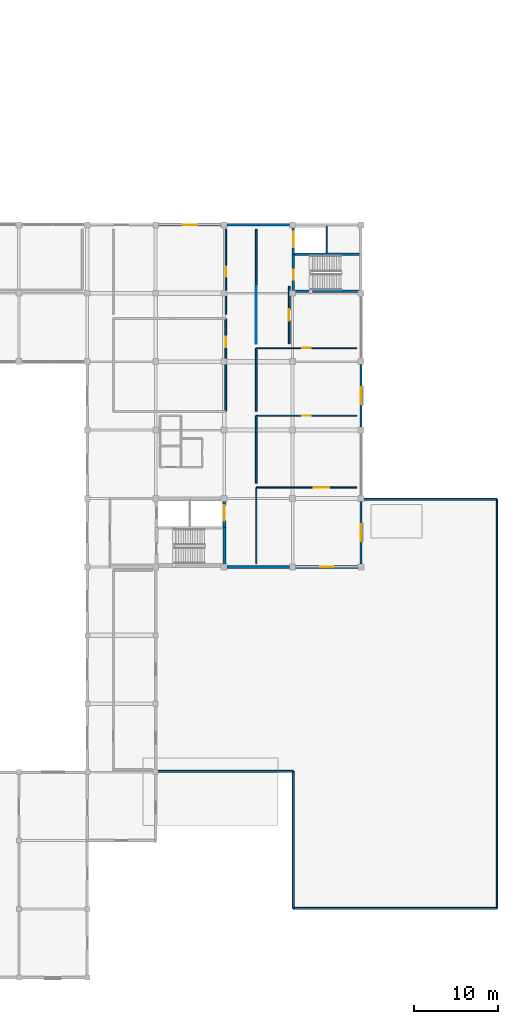
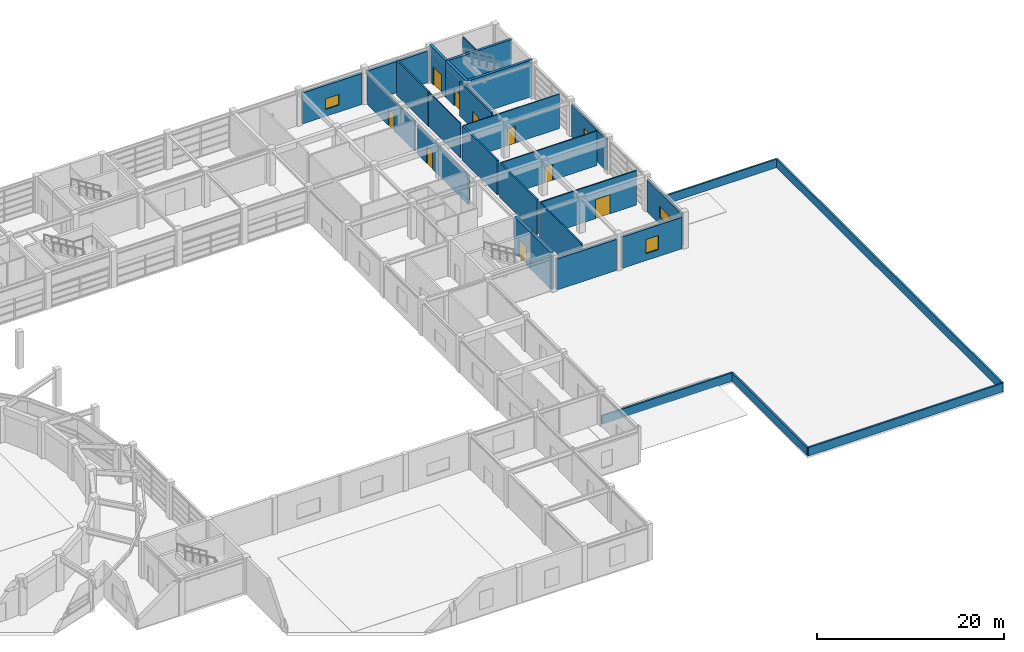
# One storey, part 43 of 56: 29 walls, 9 doors, 4 windows, 13 openings.
"""IFC4 building model written with IfcOpenShell, lengths in metres."""

from ifc_helpers import new_model, si_unit, direction, frame, frame_2d, origin, place, context, subcontext, project, spatial, rectangle, extrude, material, layer, layer_set, type_object, element, fill, save


model = new_model("IFC4")

# Units and contexts
model_context = context("Model", 3, precision=1e-05, world=origin(), true_north=direction((0.0, 1.0)))
body_context = subcontext(model_context, "Body", "Model", "MODEL_VIEW")
ifc_project = project(units=[si_unit("LENGTHUNIT", "METRE"), si_unit("AREAUNIT", "SQUARE_METRE"), si_unit("VOLUMEUNIT", "CUBIC_METRE"), si_unit("PLANEANGLEUNIT", "RADIAN"), si_unit("MASSUNIT", "GRAM", prefix="KILO")], contexts=[model_context])

# Site, building, storey
site_placement = place(None, origin())
site = spatial("IfcSite", under=ifc_project, at=site_placement, CompositionType="ELEMENT")
building_placement = place(site_placement, origin())
building = spatial("IfcBuilding", under=site, at=building_placement, Name="Parian Resonance Hall", CompositionType="ELEMENT")
storey_placement = place(building_placement, frame((0.0, 0.0, 5.39990234375)))
storey = spatial("IfcBuildingStorey", under=building, at=storey_placement, Name="L01", CompositionType="ELEMENT", Elevation=5.39990234375)

# Wall, opening, door
ifc_material_1 = material(Name="Concrete C40/50", Category="concrete")
ifc_layer_1 = layer(ifc_material_1, 0.31005859375)
ifc_layer_set_1 = layer_set([ifc_layer_1], Name="Concrete C40/50")
wall_type_1 = type_object("IfcWallType", Name="CW310", PredefinedType="SHEAR", material=ifc_layer_set_1)
wall_1_placement = place(storey_placement, frame((137.7900390625, 81.25, 0.0), z_axis=(0.0, 0.0, 1.0), x_axis=(0.0, 1.0, 0.0)))
wall_1 = element("IfcWall", 1, at=wall_1_placement, inside=storey, type_object=wall_type_1, Name="Core K6 stairwell west shear wall L01", PredefinedType="SHEAR", context=body_context, shape_type="SweptSolid", body=[
    extrude(rectangle(XDim=4.360107421875, YDim=0.31005859375, at=frame_2d((2.18017578125, 0.0))), origin(), (0.0, 0.0, 1.0), 4.800048828125),
])
opening_1_placement = place(wall_1_placement, frame((1.35009765625, 0.0, 0.0)))
opening_1 = element("IfcOpeningElement", 2, at=opening_1_placement, cuts=wall_1, Name="Opening FD-01", PredefinedType="OPENING", context=body_context, shape_type="SweptSolid", body=[
    extrude(rectangle(XDim=1.199951171875, YDim=2.25, at=frame_2d((0.60009765625, 1.125))), frame((0.0, 0.1650390625, 0.0), z_axis=(0.0, -1.0, 0.0), x_axis=(1.0, 0.0, 0.0)), (0.0, 0.0, 1.0), 0.330078125),
])
ifc_material_2 = material(Name="Fire-rated acoustic steel and narra timber door", Category="steel")
door_type_1 = type_object("IfcDoorType", Name="FD-01", OperationType="NOTDEFINED", PredefinedType="DOOR", material=ifc_material_2)
door_1_placement = place(opening_1_placement, origin())
door_1 = element("IfcDoor", 3, at=door_1_placement, inside=storey, type_object=door_type_1, Name="Exit stair ST-06 fire door L01", OperationType="SINGLE_SWING_LEFT", OverallHeight=2.25, OverallWidth=1.199951171875, PredefinedType="DOOR", context=body_context, shape_type="SweptSolid", body=[
    extrude(rectangle(XDim=1.199951171875, YDim=2.25, at=frame_2d((0.60009765625, 1.125))), frame((0.0, 0.02490234375, 0.0), z_axis=(0.0, -1.0, 0.0), x_axis=(1.0, 0.0, 0.0)), (0.0, 0.0, 1.0), 0.050048828125),
])
fill(opening_1, door_1)

wall_2_placement = place(storey_placement, frame((137.7900390625, 85.610107421875, 0.0), z_axis=(0.0, 0.0, 1.0), x_axis=(0.0, 1.0, 0.0)))
wall_2 = element("IfcWall", 4, at=wall_2_placement, inside=storey, type_object=wall_type_1, Name="Core K6 lift shaft west shear wall L01", PredefinedType="SHEAR", context=body_context, shape_type="SweptSolid", body=[
    extrude(rectangle(XDim=3.489990234375, YDim=0.31005859375, at=frame_2d((1.7451171875, 0.0))), origin(), (0.0, 0.0, 1.0), 4.800048828125),
])
opening_2_placement = place(wall_2_placement, frame((0.844970703125, 0.0, 0.0)))
opening_2 = element("IfcOpeningElement", 5, at=opening_2_placement, cuts=wall_2, Name="Opening LD-02", PredefinedType="OPENING", context=body_context, shape_type="SweptSolid", body=[
    extrude(rectangle(XDim=1.800048828125, YDim=2.39990234375, at=frame_2d((0.89990234375, 1.199951171875))), frame((0.0, 0.1650390625, 0.0), z_axis=(0.0, -1.0, 0.0), x_axis=(1.0, 0.0, 0.0)), (0.0, 0.0, 1.0), 0.330078125),
])
ifc_material_3 = material(Name="Stainless steel and bronze elevator cab", Category="steel")
door_type_2 = type_object("IfcDoorType", Name="DOOR-LIFT-1800x2400", OperationType="SLIDING_TO_LEFT", PredefinedType="DOOR", material=ifc_material_3)
door_2_placement = place(opening_2_placement, origin())
door_2 = element("IfcDoor", 6, at=door_2_placement, inside=storey, type_object=door_type_2, Name="Lift LF-08 sliding landing door L01", OperationType="SLIDING_TO_LEFT", OverallHeight=2.39990234375, OverallWidth=1.800048828125, PredefinedType="DOOR", context=body_context, shape_type="SweptSolid", body=[
    extrude(rectangle(XDim=1.800048828125, YDim=2.39990234375, at=frame_2d((0.89990234375, 1.199951171875))), frame((0.0, 0.02490234375, 0.0), z_axis=(0.0, -1.0, 0.0), x_axis=(1.0, 0.0, 0.0)), (0.0, 0.0, 1.0), 0.050048828125),
])
fill(opening_2, door_2)

# Walls
for number, where, z_axis, x_axis, name in (
    (7, (145.77001953125, 81.25, 0.0), (0.0, 0.0, 1.0), (-1.0, 0.0, 0.0), "Core K6 stairwell south wall L01"),
    (8, (137.7900390625, 85.610107421875, 0.0), (0.0, 0.0, 1.0), (1.0, 0.0, 0.0), "Core K6 stair-lift divider wall L01"),
):
    element("IfcWall", number, at=place(storey_placement, frame(where, z_axis=z_axis, x_axis=x_axis)), inside=storey, type_object=wall_type_1, Name=name, PredefinedType="SHEAR", context=body_context, shape_type="SweptSolid", body=[
        extrude(rectangle(XDim=7.97998046875, YDim=0.31005859375, at=frame_2d((3.989990234375, 0.0))), origin(), (0.0, 0.0, 1.0), 4.800048828125),
    ])

# Wall, opening, door
ifc_material_4 = material(Name="Concrete C40/50", Category="concrete")
ifc_layer_2 = layer(ifc_material_4, 0.35009765625)
ifc_layer_set_2 = layer_set([ifc_layer_2], Name="Concrete C40/50")
wall_type_2 = type_object("IfcWallType", Name="CW350", PredefinedType="SHEAR", material=ifc_layer_set_2)
wall_3_placement = place(storey_placement, frame((129.6298828125, 56.699951171875, 0.0), z_axis=(0.0, 0.0, 1.0), x_axis=(0.0, -1.0, 0.0)))
wall_3 = element("IfcWall", 9, at=wall_3_placement, inside=storey, type_object=wall_type_2, Name="Core K2 east shaft wall L01", PredefinedType="SHEAR", context=body_context, shape_type="SweptSolid", body=[
    extrude(rectangle(XDim=3.449951171875, YDim=0.35009765625, at=frame_2d((1.72509765625, 0.0))), origin(), (0.0, 0.0, 1.0), 4.800048828125),
])
opening_3_placement = place(wall_3_placement, frame((0.824951171875, 0.0, 0.0)))
opening_3 = element("IfcOpeningElement", 10, at=opening_3_placement, cuts=wall_3, Name="Opening LD-02", PredefinedType="OPENING", context=body_context, shape_type="SweptSolid", body=[
    extrude(rectangle(XDim=1.800048828125, YDim=2.39990234375, at=frame_2d((0.89990234375, 1.199951171875))), frame((0.0, 0.18505859375, 0.0), z_axis=(0.0, -1.0, 0.0), x_axis=(1.0, 0.0, 0.0)), (0.0, 0.0, 1.0), 0.3701171875),
])
door_3_placement = place(opening_3_placement, origin())
door_3 = element("IfcDoor", 11, at=door_3_placement, inside=storey, type_object=door_type_2, Name="Lift LF-07 sliding landing door L01", OperationType="SLIDING_TO_LEFT", OverallHeight=2.39990234375, OverallWidth=1.800048828125, PredefinedType="DOOR", context=body_context, shape_type="SweptSolid", body=[
    extrude(rectangle(XDim=1.800048828125, YDim=2.39990234375, at=frame_2d((0.89990234375, 1.199951171875))), frame((0.0, 0.02490234375, 0.0), z_axis=(0.0, -1.0, 0.0), x_axis=(1.0, 0.0, 0.0)), (0.0, 0.0, 1.0), 0.050048828125),
])
fill(opening_3, door_3)

# Walls
wall_4_placement = place(storey_placement, frame((129.6298828125, 53.25, 0.0), z_axis=(0.0, 0.0, 1.0), x_axis=(0.0, -1.0, 0.0)))
element("IfcWall", 12, at=wall_4_placement, inside=storey, type_object=wall_type_2, Name="Core K2 stairwell east wall L01", PredefinedType="SHEAR", context=body_context, shape_type="SweptSolid", body=[
    extrude(rectangle(XDim=4.419921875, YDim=0.35009765625, at=frame_2d((2.2099609375, 0.0))), origin(), (0.0, 0.0, 1.0), 4.800048828125),
])
ifc_material_5 = material(Name="Concrete C35/45 parapet", Category="concrete")
ifc_layer_3 = layer(ifc_material_5, 0.2099609375)
ifc_layer_set_3 = layer_set([ifc_layer_3], Name="Concrete C35/45 parapet")
wall_type_3 = type_object("IfcWallType", Name="EW-PAR-210", PredefinedType="PARAPET", material=ifc_layer_set_3)
wall_5_placement = place(storey_placement, frame((121.60009765625, 24.39990234375, 0.0), z_axis=(0.0, 0.0, 1.0), x_axis=(1.0, 0.0, 0.0)))
element("IfcWall", 13, at=wall_5_placement, inside=storey, type_object=wall_type_3, Name="Roof parapet L01-01", PredefinedType="PARAPET", context=body_context, shape_type="SweptSolid", body=[
    extrude(rectangle(XDim=16.199951171875, YDim=0.2099609375, at=frame_2d((8.10009765625, 0.0))), origin(), (0.0, 0.0, 1.0), 1.10009765625),
])
wall_6_placement = place(storey_placement, frame((137.800048828125, 8.199951171875, 0.0), z_axis=(0.0, 0.0, 1.0), x_axis=(1.0, 0.0, 0.0)))
element("IfcWall", 14, at=wall_6_placement, inside=storey, type_object=wall_type_3, Name="Roof parapet L01-05", PredefinedType="PARAPET", context=body_context, shape_type="SweptSolid", body=[
    extrude(rectangle(XDim=24.099853515625, YDim=0.2099609375, at=frame_2d((12.0498046875, 0.0))), origin(), (0.0, 0.0, 1.0), 1.10009765625),
])
wall_7_placement = place(storey_placement, frame((161.89990234375, 56.60009765625, 0.0), z_axis=(0.0, 0.0, 1.0), x_axis=(-1.0, 0.0, 0.0)))
element("IfcWall", 15, at=wall_7_placement, inside=storey, type_object=wall_type_3, Name="Roof parapet L01-07", PredefinedType="PARAPET", context=body_context, shape_type="SweptSolid", body=[
    extrude(rectangle(XDim=16.0, YDim=0.2099609375, at=frame_2d((8.0, 0.0))), origin(), (0.0, 0.0, 1.0), 1.10009765625),
])
ifc_material_6 = material(Name="Concrete C35/45 parapet", Category="concrete")
ifc_layer_4 = layer(ifc_material_6, 0.22998046875)
ifc_layer_set_4 = layer_set([ifc_layer_4], Name="Concrete C35/45 parapet")
wall_type_4 = type_object("IfcWallType", Name="EW-PAR-230", PredefinedType="PARAPET", material=ifc_layer_set_4)
wall_8_placement = place(storey_placement, frame((137.800048828125, 24.39990234375, 0.0), z_axis=(0.0, 0.0, 1.0), x_axis=(0.0, -1.0, 0.0)))
element("IfcWall", 16, at=wall_8_placement, inside=storey, type_object=wall_type_4, Name="Roof parapet L01-04", PredefinedType="PARAPET", context=body_context, shape_type="SweptSolid", body=[
    extrude(rectangle(XDim=16.199951171875, YDim=0.22998046875, at=frame_2d((8.10009765625, 0.0))), origin(), (0.0, 0.0, 1.0), 1.10009765625),
])
wall_9_placement = place(storey_placement, frame((161.89990234375, 8.199951171875, 0.0), z_axis=(0.0, 0.0, 1.0), x_axis=(0.0, 1.0, 0.0)))
element("IfcWall", 17, at=wall_9_placement, inside=storey, type_object=wall_type_4, Name="Roof parapet L01-06", PredefinedType="PARAPET", context=body_context, shape_type="SweptSolid", body=[
    extrude(rectangle(XDim=48.400146484375, YDim=0.22998046875, at=frame_2d((24.2001953125, 0.0))), origin(), (0.0, 0.0, 1.0), 1.10009765625),
])
ifc_material_7 = material(Name="Concrete C35/45 with Carcar coral-limestone ashlar", Category="masonry")
ifc_layer_5 = layer(ifc_material_7, 0.340087890625)
ifc_layer_set_5 = layer_set([ifc_layer_5], Name="Concrete C35/45 with Carcar coral-limestone ashlar")
wall_type_5 = type_object("IfcWallType", Name="EW-STONE-340", PredefinedType="SOLIDWALL", material=ifc_layer_set_5)
wall_10_placement = place(storey_placement, frame((129.949951171875, 48.60009765625, 0.0), z_axis=(0.0, 0.0, 1.0), x_axis=(1.0, 0.0, 0.0)))
element("IfcWall", 18, at=wall_10_placement, inside=storey, type_object=wall_type_5, Name="Perimeter closure wall L01", PredefinedType="SOLIDWALL", context=body_context, shape_type="SweptSolid", body=[
    extrude(rectangle(XDim=7.400146484375, YDim=0.340087890625, at=frame_2d((3.7001953125, 0.0))), origin(), (0.0, 0.0, 1.0), 4.05517578125),
])

# Wall, opening, window
wall_11_placement = place(storey_placement, frame((138.050048828125, 48.60009765625, 0.0), z_axis=(0.0, 0.0, 1.0), x_axis=(1.0, 0.0, 0.0)))
wall_11 = element("IfcWall", 19, at=wall_11_placement, inside=storey, type_object=wall_type_5, Name="Perimeter closure wall L01", PredefinedType="SOLIDWALL", context=body_context, shape_type="SweptSolid", body=[
    extrude(rectangle(XDim=7.39990234375, YDim=0.340087890625, at=frame_2d((3.699951171875, 0.0))), origin(), (0.0, 0.0, 1.0), 4.107177734375),
])
opening_4_placement = place(wall_11_placement, frame((2.925048828125, 0.0, 0.89990234375)))
opening_4 = element("IfcOpeningElement", 20, at=opening_4_placement, cuts=wall_11, Name="Opening WN-25", PredefinedType="OPENING", context=body_context, shape_type="SweptSolid", body=[
    extrude(rectangle(XDim=1.550048828125, YDim=1.85009765625, at=frame_2d((0.77490234375, 0.925048828125))), frame((0.0, 0.179931640625, 0.0), z_axis=(0.0, -1.0, 0.0), x_axis=(1.0, 0.0, 0.0)), (0.0, 0.0, 1.0), 0.360107421875),
])
ifc_material_8 = material(Name="Acoustic laminated double glazing", Category="glass")
window_type_1 = type_object("IfcWindowType", Name="WIN-1550x1850", PartitioningType="SINGLE_PANEL", PredefinedType="WINDOW", material=ifc_material_8)
window_1_placement = place(opening_4_placement, origin())
window_1 = element("IfcWindow", 21, at=window_1_placement, inside=storey, type_object=window_type_1, Name="Acoustic window L01-0062", OverallHeight=1.85009765625, OverallWidth=1.550048828125, PartitioningType="SINGLE_PANEL", PredefinedType="WINDOW", context=body_context, shape_type="SweptSolid", body=[
    extrude(rectangle(XDim=1.550048828125, YDim=1.85009765625, at=frame_2d((0.77490234375, 0.925048828125))), frame((0.0, 0.030029296875, 0.0), z_axis=(0.0, -1.0, 0.0), x_axis=(1.0, 0.0, 0.0)), (0.0, 0.0, 1.0), 0.06005859375),
])
fill(opening_4, window_1)

# Wall
wall_12_placement = place(storey_placement, frame((137.35009765625, 89.10009765625, 0.0), z_axis=(0.0, 0.0, 1.0), x_axis=(-1.0, 0.0, 0.0)))
element("IfcWall", 22, at=wall_12_placement, inside=storey, type_object=wall_type_5, Name="Perimeter closure wall L01", PredefinedType="SOLIDWALL", context=body_context, shape_type="SweptSolid", body=[
    extrude(rectangle(XDim=7.400146484375, YDim=0.340087890625, at=frame_2d((3.7001953125, 0.0))), origin(), (0.0, 0.0, 1.0), 4.107177734375),
])

# Wall, opening, window
wall_13_placement = place(storey_placement, frame((129.25, 89.10009765625, 0.0), z_axis=(0.0, 0.0, 1.0), x_axis=(-1.0, 0.0, 0.0)))
wall_13 = element("IfcWall", 23, at=wall_13_placement, inside=storey, type_object=wall_type_5, Name="Perimeter closure wall L01", PredefinedType="SOLIDWALL", context=body_context, shape_type="SweptSolid", body=[
    extrude(rectangle(XDim=7.39990234375, YDim=0.340087890625, at=frame_2d((3.699951171875, 0.0))), origin(), (0.0, 0.0, 1.0), 4.05517578125),
])
opening_5_placement = place(wall_13_placement, frame((2.875, 0.0, 0.89990234375)))
opening_5 = element("IfcOpeningElement", 24, at=opening_5_placement, cuts=wall_13, Name="Opening WN-27", PredefinedType="OPENING", context=body_context, shape_type="SweptSolid", body=[
    extrude(rectangle(XDim=1.64990234375, YDim=1.39990234375, at=frame_2d((0.824951171875, 0.699951171875))), frame((0.0, 0.179931640625, 0.0), z_axis=(0.0, -1.0, 0.0), x_axis=(1.0, 0.0, 0.0)), (0.0, 0.0, 1.0), 0.360107421875),
])
ifc_material_9 = material(Name="Acoustic laminated double glazing", Category="glass")
window_type_2 = type_object("IfcWindowType", Name="WIN-1650x1400", PartitioningType="SINGLE_PANEL", PredefinedType="WINDOW", material=ifc_material_9)
window_2_placement = place(opening_5_placement, origin())
window_2 = element("IfcWindow", 25, at=window_2_placement, inside=storey, type_object=window_type_2, Name="Acoustic window L01-0063", OverallHeight=1.39990234375, OverallWidth=1.64990234375, PartitioningType="SINGLE_PANEL", PredefinedType="WINDOW", context=body_context, shape_type="SweptSolid", body=[
    extrude(rectangle(XDim=1.64990234375, YDim=1.39990234375, at=frame_2d((0.824951171875, 0.699951171875))), frame((0.0, 0.030029296875, 0.0), z_axis=(0.0, -1.0, 0.0), x_axis=(1.0, 0.0, 0.0)), (0.0, 0.0, 1.0), 0.06005859375),
])
fill(opening_5, window_2)

ifc_material_10 = material(Name="Concrete C35/45 with Carcar coral-limestone ashlar", Category="masonry")
ifc_layer_6 = layer(ifc_material_10, 0.27001953125)
ifc_layer_set_6 = layer_set([ifc_layer_6], Name="Concrete C35/45 with Carcar coral-limestone ashlar")
wall_type_6 = type_object("IfcWallType", Name="EW-STUDIO-270", PredefinedType="SOLIDWALL", material=ifc_layer_set_6)
wall_14_placement = place(storey_placement, frame((145.800048828125, 56.35009765625, 0.0), z_axis=(0.0, 0.0, 1.0), x_axis=(0.0, -1.0, 0.0)))
wall_14 = element("IfcWall", 26, at=wall_14_placement, inside=storey, type_object=wall_type_6, Name="Exterior wall EW-L01-0176", PredefinedType="SOLIDWALL", context=body_context, shape_type="SweptSolid", body=[
    extrude(rectangle(XDim=7.400146484375, YDim=0.27001953125, at=frame_2d((3.7001953125, 0.0))), origin(), (0.0, 0.0, 1.0), 4.1669921875),
])
opening_6_placement = place(wall_14_placement, frame((2.699951171875, 0.0, 0.89990234375)))
opening_6 = element("IfcOpeningElement", 27, at=opening_6_placement, cuts=wall_14, Name="Opening WN-36", PredefinedType="OPENING", context=body_context, shape_type="SweptSolid", body=[
    extrude(rectangle(XDim=2.0, YDim=1.39990234375, at=frame_2d((1.0, 0.699951171875))), frame((0.0, 0.14501953125, 0.0), z_axis=(0.0, -1.0, 0.0), x_axis=(1.0, 0.0, 0.0)), (0.0, 0.0, 1.0), 0.2900390625),
])
ifc_material_11 = material(Name="Acoustic laminated double glazing", Category="glass")
window_type_3 = type_object("IfcWindowType", Name="WIN-2000x1400", PartitioningType="SINGLE_PANEL", PredefinedType="WINDOW", material=ifc_material_11)
window_3_placement = place(opening_6_placement, origin())
window_3 = element("IfcWindow", 28, at=window_3_placement, inside=storey, type_object=window_type_3, Name="Acoustic window L01-0033", OverallHeight=1.39990234375, OverallWidth=2.0, PartitioningType="SINGLE_PANEL", PredefinedType="WINDOW", context=body_context, shape_type="SweptSolid", body=[
    extrude(rectangle(XDim=2.0, YDim=1.39990234375, at=frame_2d((1.0, 0.699951171875))), frame((0.0, 0.030029296875, 0.0), z_axis=(0.0, -1.0, 0.0), x_axis=(1.0, 0.0, 0.0)), (0.0, 0.0, 1.0), 0.06005859375),
])
fill(opening_6, window_3)

wall_15_placement = place(storey_placement, frame((145.800048828125, 72.550048828125, 0.0), z_axis=(0.0, 0.0, 1.0), x_axis=(0.0, -1.0, 0.0)))
wall_15 = element("IfcWall", 29, at=wall_15_placement, inside=storey, type_object=wall_type_6, Name="Exterior wall EW-L01-0177", PredefinedType="SOLIDWALL", context=body_context, shape_type="SweptSolid", body=[
    extrude(rectangle(XDim=7.400146484375, YDim=0.27001953125, at=frame_2d((3.7001953125, 0.0))), origin(), (0.0, 0.0, 1.0), 4.1669921875),
])
opening_7_placement = place(wall_15_placement, frame((2.699951171875, 0.0, 0.89990234375)))
opening_7 = element("IfcOpeningElement", 30, at=opening_7_placement, cuts=wall_15, Name="Opening WN-37", PredefinedType="OPENING", context=body_context, shape_type="SweptSolid", body=[
    extrude(rectangle(XDim=2.0, YDim=1.800048828125, at=frame_2d((1.0, 0.89990234375))), frame((0.0, 0.14501953125, 0.0), z_axis=(0.0, -1.0, 0.0), x_axis=(1.0, 0.0, 0.0)), (0.0, 0.0, 1.0), 0.2900390625),
])
ifc_material_12 = material(Name="Acoustic laminated double glazing", Category="glass")
window_type_4 = type_object("IfcWindowType", Name="WIN-2000x1800", PartitioningType="SINGLE_PANEL", PredefinedType="WINDOW", material=ifc_material_12)
window_4_placement = place(opening_7_placement, origin())
window_4 = element("IfcWindow", 31, at=window_4_placement, inside=storey, type_object=window_type_4, Name="Acoustic window L01-0034", OverallHeight=1.800048828125, OverallWidth=2.0, PartitioningType="SINGLE_PANEL", PredefinedType="WINDOW", context=body_context, shape_type="SweptSolid", body=[
    extrude(rectangle(XDim=2.0, YDim=1.800048828125, at=frame_2d((1.0, 0.89990234375))), frame((0.0, 0.030029296875, 0.0), z_axis=(0.0, -1.0, 0.0), x_axis=(1.0, 0.0, 0.0)), (0.0, 0.0, 1.0), 0.06005859375),
])
fill(opening_7, window_4)

# Walls
ifc_material_13 = material(Name="Concrete C35/45 fire barrier", Category="concrete")
ifc_layer_7 = layer(ifc_material_13, 0.199951171875)
ifc_layer_set_7 = layer_set([ifc_layer_7], Name="Concrete C35/45 fire barrier")
wall_type_7 = type_object("IfcWallType", Name="FW200", PredefinedType="PARTITIONING", material=ifc_layer_set_7)
wall_16_placement = place(storey_placement, frame((133.39990234375, 58.5, 0.0), z_axis=(0.0, 0.0, 1.0), x_axis=(0.0, 1.0, 0.0)))
element("IfcWall", 32, at=wall_16_placement, inside=storey, type_object=wall_type_7, Name="Interior acoustic partition IW-L01-0140", PredefinedType="PARTITIONING", context=body_context, shape_type="SweptSolid", body=[
    extrude(rectangle(XDim=8.0, YDim=0.199951171875, at=frame_2d((4.0, 0.0))), origin(), (0.0, 0.0, 1.0), 4.52001953125),
])
wall_17_placement = place(storey_placement, frame((133.39990234375, 67.0, 0.0), z_axis=(0.0, 0.0, 1.0), x_axis=(0.0, 1.0, 0.0)))
element("IfcWall", 33, at=wall_17_placement, inside=storey, type_object=wall_type_7, Name="Interior acoustic partition IW-L01-0142", PredefinedType="PARTITIONING", context=body_context, shape_type="SweptSolid", body=[
    extrude(rectangle(XDim=7.5, YDim=0.199951171875, at=frame_2d((3.75, 0.0))), origin(), (0.0, 0.0, 1.0), 4.52001953125),
])

# Wall, opening, door
wall_18_placement = place(storey_placement, frame((137.300048828125, 81.800048828125, 0.0), z_axis=(0.0, 0.0, 1.0), x_axis=(0.0, -1.0, 0.0)))
wall_18 = element("IfcWall", 34, at=wall_18_placement, inside=storey, type_object=wall_type_7, Name="Interior acoustic partition IW-L01-0144", PredefinedType="PARTITIONING", context=body_context, shape_type="SweptSolid", body=[
    extrude(rectangle(XDim=6.800048828125, YDim=0.199951171875, at=frame_2d((3.39990234375, 0.0))), origin(), (0.0, 0.0, 1.0), 4.52001953125),
])
opening_8_placement = place(wall_18_placement, frame((2.72509765625, 0.0, 0.0)))
opening_8 = element("IfcOpeningElement", 35, at=opening_8_placement, cuts=wall_18, Name="Opening ID-09", PredefinedType="OPENING", context=body_context, shape_type="SweptSolid", body=[
    extrude(rectangle(XDim=1.35009765625, YDim=2.300048828125, at=frame_2d((0.675048828125, 1.14990234375))), frame((0.0, 0.10986328125, 0.0), z_axis=(0.0, -1.0, 0.0), x_axis=(1.0, 0.0, 0.0)), (0.0, 0.0, 1.0), 0.219970703125),
])
ifc_material_14 = material(Name="Fire-rated acoustic steel and narra timber door", Category="steel")
door_type_3 = type_object("IfcDoorType", Name="ID-STU-1350x2300", OperationType="NOTDEFINED", PredefinedType="DOOR", material=ifc_material_14)
door_4_placement = place(opening_8_placement, origin())
door_4 = element("IfcDoor", 36, at=door_4_placement, inside=storey, type_object=door_type_3, Name="Artists' Green Room door", OperationType="SINGLE_SWING_RIGHT", OverallHeight=2.300048828125, OverallWidth=1.35009765625, PredefinedType="DOOR", context=body_context, shape_type="SweptSolid", body=[
    extrude(rectangle(XDim=1.35009765625, YDim=2.300048828125, at=frame_2d((0.675048828125, 1.14990234375))), frame((0.0, 0.02490234375, 0.0), z_axis=(0.0, -1.0, 0.0), x_axis=(1.0, 0.0, 0.0)), (0.0, 0.0, 1.0), 0.050048828125),
])
fill(opening_8, door_4)

# Wall
wall_19_placement = place(storey_placement, frame((133.39990234375, 81.800048828125, 0.0), z_axis=(0.0, 0.0, 1.0), x_axis=(0.0, 1.0, 0.0)))
element("IfcWall", 37, at=wall_19_placement, inside=storey, type_object=wall_type_7, Name="Interior acoustic partition IW-L01-0146", PredefinedType="PARTITIONING", context=body_context, shape_type="SweptSolid", body=[
    extrude(rectangle(XDim=6.800048828125, YDim=0.199951171875, at=frame_2d((3.39990234375, 0.0))), origin(), (0.0, 0.0, 1.0), 4.52001953125),
])

# Wall, opening, door
wall_20_placement = place(storey_placement, frame((129.800048828125, 78.0, 0.0), z_axis=(0.0, 0.0, 1.0), x_axis=(0.0, -1.0, 0.0)))
wall_20 = element("IfcWall", 38, at=wall_20_placement, inside=storey, type_object=wall_type_7, Name="Interior acoustic partition IW-L01-0147", PredefinedType="PARTITIONING", context=body_context, shape_type="SweptSolid", body=[
    extrude(rectangle(XDim=11.0, YDim=0.199951171875, at=frame_2d((5.5, 0.0))), origin(), (0.0, 0.0, 1.0), 3.82421875),
])
opening_9_placement = place(wall_20_placement, frame((2.125, 0.0, 0.0)))
opening_9 = element("IfcOpeningElement", 39, at=opening_9_placement, cuts=wall_20, Name="Opening ID-10", PredefinedType="OPENING", context=body_context, shape_type="SweptSolid", body=[
    extrude(rectangle(XDim=1.25, YDim=2.25, at=frame_2d((0.625, 1.125))), frame((0.0, 0.10986328125, 0.0), z_axis=(0.0, -1.0, 0.0), x_axis=(1.0, 0.0, 0.0)), (0.0, 0.0, 1.0), 0.219970703125),
])
ifc_material_15 = material(Name="Fire-rated acoustic steel and narra timber door", Category="steel")
door_type_4 = type_object("IfcDoorType", Name="ID-STU-1250x2250", OperationType="NOTDEFINED", PredefinedType="DOOR", material=ifc_material_15)
door_5_placement = place(opening_9_placement, origin())
door_5 = element("IfcDoor", 40, at=door_5_placement, inside=storey, type_object=door_type_4, Name="Wardrobe and Costume Studio door", OperationType="SINGLE_SWING_LEFT", OverallHeight=2.25, OverallWidth=1.25, PredefinedType="DOOR", context=body_context, shape_type="SweptSolid", body=[
    extrude(rectangle(XDim=1.25, YDim=2.25, at=frame_2d((0.625, 1.125))), frame((0.0, 0.02490234375, 0.0), z_axis=(0.0, -1.0, 0.0), x_axis=(1.0, 0.0, 0.0)), (0.0, 0.0, 1.0), 0.050048828125),
])
fill(opening_9, door_5)

# Wall
ifc_material_16 = material(Name="Concrete C35/45 acoustic masonry partition", Category="masonry")
ifc_layer_8 = layer(ifc_material_16, 0.10009765625)
ifc_layer_set_8 = layer_set([ifc_layer_8], Name="Concrete C35/45 acoustic masonry partition")
wall_type_8 = type_object("IfcWallType", Name="PW100", PredefinedType="PARTITIONING", material=ifc_layer_set_8)
wall_21_placement = place(storey_placement, frame((133.39990234375, 75.0, 0.0), z_axis=(0.0, 0.0, 1.0), x_axis=(0.0, 1.0, 0.0)))
element("IfcWall", 41, at=wall_21_placement, inside=storey, type_object=wall_type_8, Name="Interior acoustic partition IW-L01-0145", PredefinedType="PARTITIONING", context=body_context, shape_type="SweptSolid", body=[
    extrude(rectangle(XDim=6.800048828125, YDim=0.10009765625, at=frame_2d((3.39990234375, 0.0))), origin(), (0.0, 0.0, 1.0), 4.52001953125),
])

# Wall, opening, door
ifc_material_17 = material(Name="Concrete C35/45 acoustic masonry partition", Category="masonry")
ifc_layer_9 = layer(ifc_material_17, 0.1201171875)
ifc_layer_set_9 = layer_set([ifc_layer_9], Name="Concrete C35/45 acoustic masonry partition")
wall_type_9 = type_object("IfcWallType", Name="PW120", PredefinedType="PARTITIONING", material=ifc_layer_set_9)
wall_22_placement = place(storey_placement, frame((133.39990234375, 74.5, 0.0), z_axis=(0.0, 0.0, 1.0), x_axis=(1.0, 0.0, 0.0)))
wall_22 = element("IfcWall", 42, at=wall_22_placement, inside=storey, type_object=wall_type_9, Name="Interior acoustic partition IW-L01-0143", PredefinedType="PARTITIONING", context=body_context, shape_type="SweptSolid", body=[
    extrude(rectangle(XDim=11.900146484375, YDim=0.1201171875, at=frame_2d((5.9501953125, 0.0))), origin(), (0.0, 0.0, 1.0), 4.52001953125),
])
opening_10_placement = place(wall_22_placement, frame((5.4599609375, 0.0, 0.0)))
opening_10 = element("IfcOpeningElement", 43, at=opening_10_placement, cuts=wall_22, Name="Opening ID-17", PredefinedType="OPENING", context=body_context, shape_type="SweptSolid", body=[
    extrude(rectangle(XDim=0.97998046875, YDim=2.199951171875, at=frame_2d((0.489990234375, 1.10009765625))), frame((0.0, 0.070068359375, 0.0), z_axis=(0.0, -1.0, 0.0), x_axis=(1.0, 0.0, 0.0)), (0.0, 0.0, 1.0), 0.14013671875),
])
ifc_material_18 = material(Name="Philippine narra acoustic timber door", Category="wood")
door_type_5 = type_object("IfcDoorType", Name="ID-DRS-0980x2200", OperationType="NOTDEFINED", PredefinedType="DOOR", material=ifc_material_18)
door_6_placement = place(opening_10_placement, origin())
door_6 = element("IfcDoor", 44, at=door_6_placement, inside=storey, type_object=door_type_5, Name="Principal Soloist Dressing Room 02 door", OperationType="SINGLE_SWING_LEFT", OverallHeight=2.199951171875, OverallWidth=0.97998046875, PredefinedType="DOOR", context=body_context, shape_type="SweptSolid", body=[
    extrude(rectangle(XDim=0.97998046875, YDim=2.199951171875, at=frame_2d((0.489990234375, 1.10009765625))), frame((0.0, 0.02490234375, 0.0), z_axis=(0.0, -1.0, 0.0), x_axis=(1.0, 0.0, 0.0)), (0.0, 0.0, 1.0), 0.050048828125),
])
fill(opening_10, door_6)

ifc_material_19 = material(Name="Concrete C35/45 acoustic masonry partition", Category="masonry")
ifc_layer_10 = layer(ifc_material_19, 0.139892578125)
ifc_layer_set_10 = layer_set([ifc_layer_10], Name="Concrete C35/45 acoustic masonry partition")
wall_type_10 = type_object("IfcWallType", Name="PW140", PredefinedType="PARTITIONING", material=ifc_layer_set_10)
wall_23_placement = place(storey_placement, frame((133.39990234375, 66.5, 0.0), z_axis=(0.0, 0.0, 1.0), x_axis=(1.0, 0.0, 0.0)))
wall_23 = element("IfcWall", 45, at=wall_23_placement, inside=storey, type_object=wall_type_10, Name="Interior acoustic partition IW-L01-0141", PredefinedType="PARTITIONING", context=body_context, shape_type="SweptSolid", body=[
    extrude(rectangle(XDim=11.900146484375, YDim=0.139892578125, at=frame_2d((5.9501953125, 0.0))), origin(), (0.0, 0.0, 1.0), 4.52001953125),
])
opening_11_placement = place(wall_23_placement, frame((5.4599609375, 0.0, 0.0)))
opening_11 = element("IfcOpeningElement", 46, at=opening_11_placement, cuts=wall_23, Name="Opening ID-16", PredefinedType="OPENING", context=body_context, shape_type="SweptSolid", body=[
    extrude(rectangle(XDim=0.97998046875, YDim=2.10009765625, at=frame_2d((0.489990234375, 1.050048828125))), frame((0.0, 0.079833984375, 0.0), z_axis=(0.0, -1.0, 0.0), x_axis=(1.0, 0.0, 0.0)), (0.0, 0.0, 1.0), 0.159912109375),
])
ifc_material_20 = material(Name="Philippine narra acoustic timber door", Category="wood")
door_type_6 = type_object("IfcDoorType", Name="ID-DRS-0980x2100", OperationType="NOTDEFINED", PredefinedType="DOOR", material=ifc_material_20)
door_7_placement = place(opening_11_placement, origin())
door_7 = element("IfcDoor", 47, at=door_7_placement, inside=storey, type_object=door_type_6, Name="Principal Soloist Dressing Room 01 door", OperationType="SINGLE_SWING_RIGHT", OverallHeight=2.10009765625, OverallWidth=0.97998046875, PredefinedType="DOOR", context=body_context, shape_type="SweptSolid", body=[
    extrude(rectangle(XDim=0.97998046875, YDim=2.10009765625, at=frame_2d((0.489990234375, 1.050048828125))), frame((0.0, 0.02490234375, 0.0), z_axis=(0.0, -1.0, 0.0), x_axis=(1.0, 0.0, 0.0)), (0.0, 0.0, 1.0), 0.050048828125),
])
fill(opening_11, door_7)

# Walls
ifc_material_21 = material(Name="Concrete C35/45 acoustic plumbing chase wall", Category="concrete")
ifc_layer_11 = layer(ifc_material_21, 0.14990234375)
ifc_layer_set_11 = layer_set([ifc_layer_11], Name="Concrete C35/45 acoustic plumbing chase wall")
wall_type_11 = type_object("IfcWallType", Name="PW150", PredefinedType="PLUMBINGWALL", material=ifc_layer_set_11)
wall_24_placement = place(storey_placement, frame((141.75, 85.77001953125, 0.0), z_axis=(0.0, 0.0, 1.0), x_axis=(0.0, 1.0, 0.0)))
element("IfcWall", 48, at=wall_24_placement, inside=storey, type_object=wall_type_11, Name="Core K6 shaft plumbing/riser divider L01", PredefinedType="PLUMBINGWALL", context=body_context, shape_type="SweptSolid", body=[
    extrude(rectangle(XDim=3.169921875, YDim=0.14990234375, at=frame_2d((1.5849609375, 0.0))), origin(), (0.0, 0.0, 1.0), 4.4501953125),
])
ifc_material_22 = material(Name="Concrete C35/45 acoustic masonry partition", Category="masonry")
ifc_layer_12 = layer(ifc_material_22, 0.159912109375)
ifc_layer_set_12 = layer_set([ifc_layer_12], Name="Concrete C35/45 acoustic masonry partition")
wall_type_12 = type_object("IfcWallType", Name="PW160", PredefinedType="PARTITIONING", material=ifc_layer_set_12)
wall_25_placement = place(storey_placement, frame((133.39990234375, 49.0, 0.0), z_axis=(0.0, 0.0, 1.0), x_axis=(0.0, 1.0, 0.0)))
element("IfcWall", 49, at=wall_25_placement, inside=storey, type_object=wall_type_12, Name="Interior acoustic partition IW-L01-0138", PredefinedType="PARTITIONING", context=body_context, shape_type="SweptSolid", body=[
    extrude(rectangle(XDim=9.0, YDim=0.159912109375, at=frame_2d((4.5, 0.0))), origin(), (0.0, 0.0, 1.0), 4.52001953125),
])

# Wall, opening, door
wall_26_placement = place(storey_placement, frame((133.39990234375, 58.0, 0.0), z_axis=(0.0, 0.0, 1.0), x_axis=(1.0, 0.0, 0.0)))
wall_26 = element("IfcWall", 50, at=wall_26_placement, inside=storey, type_object=wall_type_12, Name="Interior acoustic partition IW-L01-0139", PredefinedType="PARTITIONING", context=body_context, shape_type="SweptSolid", body=[
    extrude(rectangle(XDim=11.900146484375, YDim=0.159912109375, at=frame_2d((5.9501953125, 0.0))), origin(), (0.0, 0.0, 1.0), 4.52001953125),
])
opening_12_placement = place(wall_26_placement, frame((6.8349609375, 0.0, 0.0)))
opening_12 = element("IfcOpeningElement", 51, at=opening_12_placement, cuts=wall_26, Name="Opening ID-06", PredefinedType="OPENING", context=body_context, shape_type="SweptSolid", body=[
    extrude(rectangle(XDim=1.800048828125, YDim=2.5, at=frame_2d((0.89990234375, 1.25))), frame((0.0, 0.08984375, 0.0), z_axis=(0.0, -1.0, 0.0), x_axis=(1.0, 0.0, 0.0)), (0.0, 0.0, 1.0), 0.179931640625),
])
ifc_material_23 = material(Name="Fire-rated acoustic steel and narra timber door", Category="steel")
door_type_7 = type_object("IfcDoorType", Name="ID-REH-1800x2500", OperationType="NOTDEFINED", PredefinedType="DOOR", material=ifc_material_23)
door_8_placement = place(opening_12_placement, origin())
door_8 = element("IfcDoor", 52, at=door_8_placement, inside=storey, type_object=door_type_7, Name="Conductor Dressing Suite door", OperationType="DOUBLE_DOOR_SINGLE_SWING", OverallHeight=2.5, OverallWidth=1.800048828125, PredefinedType="DOOR", context=body_context, shape_type="SweptSolid", body=[
    extrude(rectangle(XDim=1.800048828125, YDim=2.5, at=frame_2d((0.89990234375, 1.25))), frame((0.0, 0.02490234375, 0.0), z_axis=(0.0, -1.0, 0.0), x_axis=(1.0, 0.0, 0.0)), (0.0, 0.0, 1.0), 0.050048828125),
])
fill(opening_12, door_8)

ifc_material_24 = material(Name="Concrete C35/45 acoustic masonry partition", Category="masonry")
ifc_layer_13 = layer(ifc_material_24, 0.179931640625)
ifc_layer_set_13 = layer_set([ifc_layer_13], Name="Concrete C35/45 acoustic masonry partition")
wall_type_13 = type_object("IfcWallType", Name="PW180", PredefinedType="PARTITIONING", material=ifc_layer_set_13)
wall_27_placement = place(storey_placement, frame((129.800048828125, 88.60009765625, 0.0), z_axis=(0.0, 0.0, 1.0), x_axis=(0.0, -1.0, 0.0)))
wall_27 = element("IfcWall", 53, at=wall_27_placement, inside=storey, type_object=wall_type_13, Name="Interior acoustic partition IW-L01-0153", PredefinedType="PARTITIONING", context=body_context, shape_type="SweptSolid", body=[
    extrude(rectangle(XDim=10.10009765625, YDim=0.179931640625, at=frame_2d((5.050048828125, 0.0))), origin(), (0.0, 0.0, 1.0), 3.924072265625),
])
opening_13_placement = place(wall_27_placement, frame((4.4599609375, 0.0, 0.0)))
opening_13 = element("IfcOpeningElement", 54, at=opening_13_placement, cuts=wall_27, Name="Opening ID-11", PredefinedType="OPENING", context=body_context, shape_type="SweptSolid", body=[
    extrude(rectangle(XDim=1.179931640625, YDim=2.219970703125, at=frame_2d((0.58984375, 1.10986328125))), frame((0.0, 0.099853515625, 0.0), z_axis=(0.0, -1.0, 0.0), x_axis=(1.0, 0.0, 0.0)), (0.0, 0.0, 1.0), 0.199951171875),
])
ifc_material_25 = material(Name="Philippine narra acoustic timber door", Category="wood")
door_type_8 = type_object("IfcDoorType", Name="ID-STU-1180x2220", OperationType="NOTDEFINED", PredefinedType="DOOR", material=ifc_material_25)
door_9_placement = place(opening_13_placement, origin())
door_9 = element("IfcDoor", 55, at=door_9_placement, inside=storey, type_object=door_type_8, Name="Orchestra Warm-Up Salon door", OperationType="SINGLE_SWING_RIGHT", OverallHeight=2.219970703125, OverallWidth=1.179931640625, PredefinedType="DOOR", context=body_context, shape_type="SweptSolid", body=[
    extrude(rectangle(XDim=1.179931640625, YDim=2.219970703125, at=frame_2d((0.58984375, 1.10986328125))), frame((0.0, 0.02490234375, 0.0), z_axis=(0.0, -1.0, 0.0), x_axis=(1.0, 0.0, 0.0)), (0.0, 0.0, 1.0), 0.050048828125),
])
fill(opening_13, door_9)

save(model, "model.ifc")
